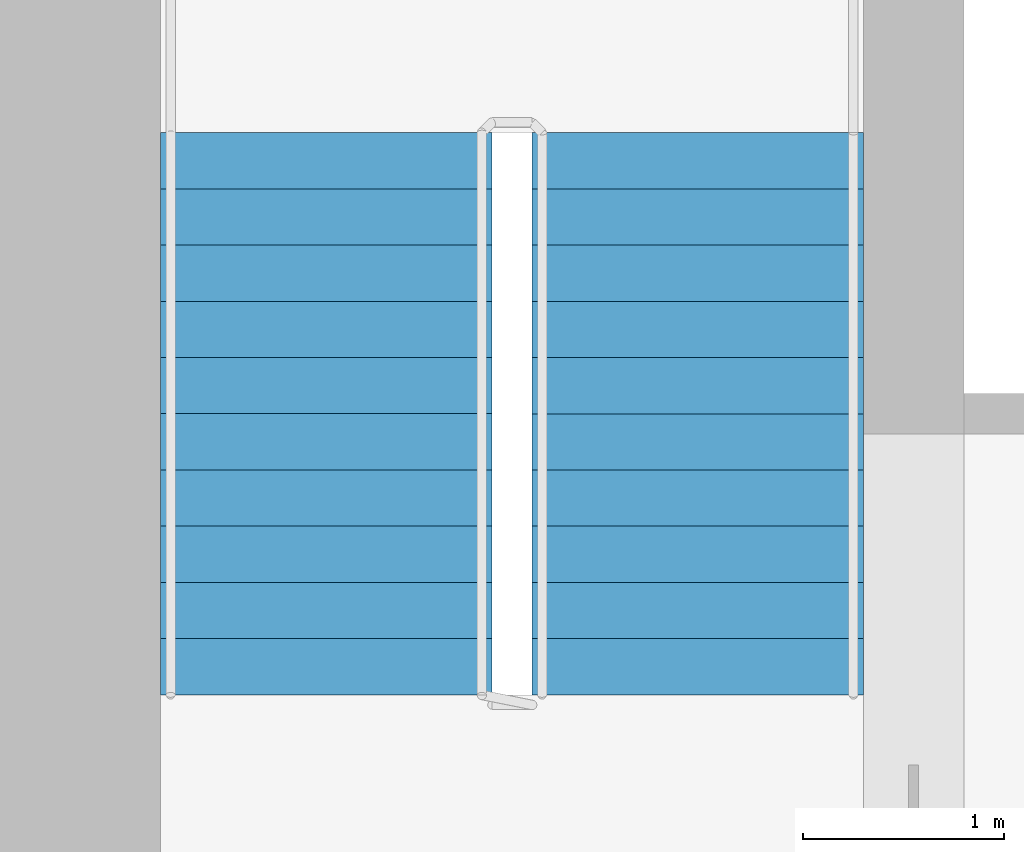
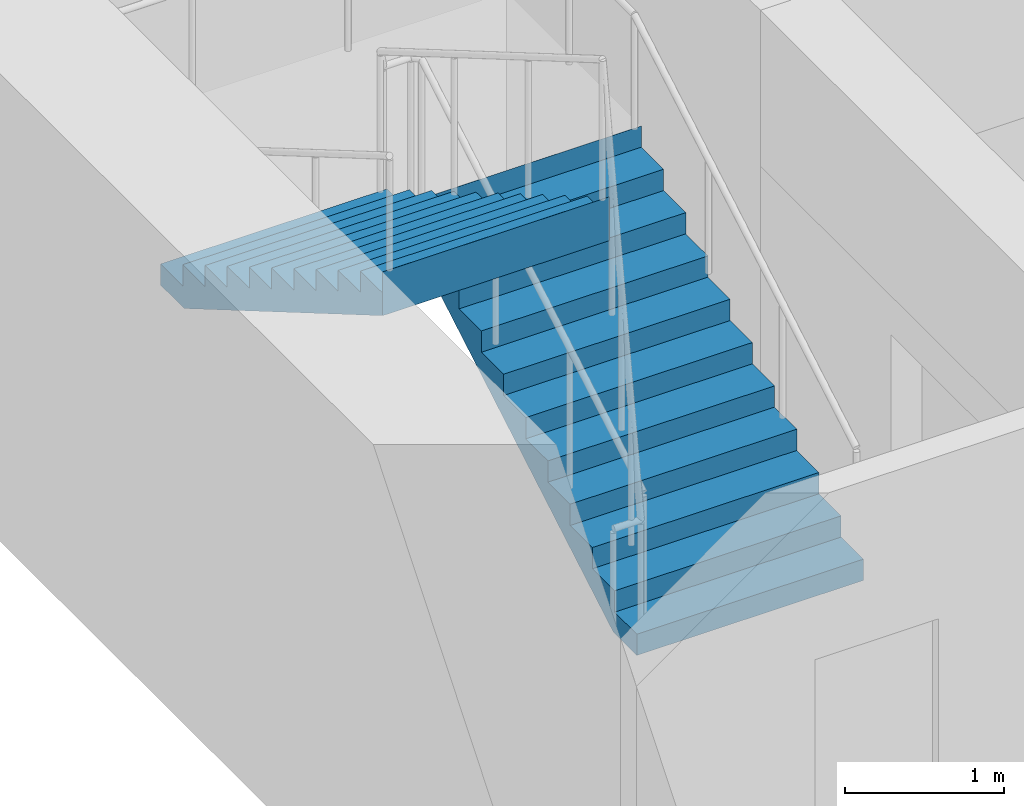
# One storey, part 14 of 15: 2 stair flights, 1 element without a shape of its own.
"""IFC4 building model written with IfcOpenShell, lengths in metres."""

from ifc_helpers import new_model, si_unit, direction, frame, origin, place, context, subcontext, project, spatial, polyline, outline, extrude, material, type_object, element, aggregate, save


model = new_model("IFC4")

# Units and contexts
model_context = context("Model", 3, precision=1e-05, world=origin(), true_north=direction((0.0, 1.0)))
body_context = subcontext(model_context, "Body", "Model", "MODEL_VIEW")
ifc_project = project(units=[si_unit("LENGTHUNIT", "METRE"), si_unit("AREAUNIT", "SQUARE_METRE"), si_unit("VOLUMEUNIT", "CUBIC_METRE"), si_unit("PLANEANGLEUNIT", "RADIAN"), si_unit("MASSUNIT", "GRAM", prefix="KILO")], contexts=[model_context])

# Site, building, storey
site_placement = place(None, origin())
site = spatial("IfcSite", under=ifc_project, at=site_placement, CompositionType="ELEMENT")
building_placement = place(site_placement, origin())
building = spatial("IfcBuilding", under=site, at=building_placement, Name="Tamorin Gate", CompositionType="ELEMENT")
storey_placement = place(building_placement, frame((0.0, 0.0, 48.39990234375)))
storey = spatial("IfcBuildingStorey", under=building, at=storey_placement, Name="L10", CompositionType="ELEMENT", Elevation=48.39990234375)

# Stair, stair flights
ifc_material = material(Name="Concrete C40/50", Category="concrete")
stair_type = type_object("IfcStairType", Name="Exit stair", PredefinedType="HALF_TURN_STAIR", material=ifc_material)
stair_placement = place(storey_placement, origin())
stair = element("IfcStair", 1, at=stair_placement, inside=storey, type_object=stair_type, Name="L10 stair ST2", PredefinedType="HALF_TURN_STAIR")
stair_flight_type = type_object("IfcStairFlightType", Name="Exit stair flight", PredefinedType="STRAIGHT", material=ifc_material)
stair_flight_1_placement = place(storey_placement, frame((33.675048828125, 77.0, 0.0), z_axis=(0.0, 0.0, 1.0), x_axis=(0.0, 1.0, 0.0)))
stair_flight_1 = element("IfcStairFlight", 2, at=stair_flight_1_placement, type_object=stair_flight_type, Name="ST2 flight 1", NumberOfRisers=11, NumberOfTreads=10, PredefinedType="STRAIGHT", RiserHeight=0.163636364, TreadLength=0.28, context=body_context, shape_type="SweptSolid", body=[
    extrude(outline(polyline([(-0.00048828125, 0.0), (-0.00048828125, 0.001708984375), (-0.00048828125, 0.003173828125), (-0.00048828125, 0.0048828125), (-0.00048828125, 0.006591796875), (-0.00048828125, 0.008056640625), (-0.00048828125, 0.009765625), (-0.00048828125, 0.01123046875), (-0.00048828125, 0.012939453125), (-0.00048828125, 0.0146484375), (-0.00048828125, 0.01611328125), (-0.00048828125, 0.017822265625), (-0.00048828125, 0.01953125), (-0.00048828125, 0.02099609375), (-0.00048828125, 0.022705078125), (-0.00048828125, 0.0244140625), (-0.00048828125, 0.02587890625), (-0.00048828125, 0.027587890625), (-0.00048828125, 0.029052734375), (-0.00048828125, 0.03076171875), (-0.00048828125, 0.032470703125), (-0.00048828125, 0.033935546875), (-0.00048828125, 0.03564453125), (-0.00048828125, 0.037353515625), (-0.00048828125, 0.038818359375), (-0.00048828125, 0.04052734375), (-0.00048828125, 0.042236328125), (-0.00048828125, 0.043701171875), (-0.00048828125, 0.04541015625), (-0.00048828125, 0.046875), (-0.00048828125, 0.048583984375), (-0.00048828125, 0.05029296875), (-0.00048828125, 0.0517578125), (-0.00048828125, 0.053466796875), (-0.00048828125, 0.05517578125), (-0.00048828125, 0.056640625), (-0.00048828125, 0.058349609375), (-0.00048828125, 0.06005859375), (-0.00048828125, 0.0615234375), (-0.00048828125, 0.063232421875), (-0.00048828125, 0.064697265625), (-0.00048828125, 0.06640625), (-0.00048828125, 0.068115234375), (-0.00048828125, 0.069580078125), (-0.00048828125, 0.0712890625), (-0.00048828125, 0.072998046875), (-0.00048828125, 0.074462890625), (-0.00048828125, 0.076171875), (-0.00048828125, 0.077880859375), (-0.00048828125, 0.079345703125), (-0.00048828125, 0.0810546875), (-0.00048828125, 0.08251953125), (-0.00048828125, 0.084228515625), (-0.00048828125, 0.0859375), (-0.00048828125, 0.08740234375), (-0.00048828125, 0.089111328125), (-0.00048828125, 0.0908203125), (-0.00048828125, 0.09228515625), (-0.00048828125, 0.093994140625), (-0.00048828125, 0.095703125), (-0.00048828125, 0.09716796875), (-0.00048828125, 0.098876953125), (-0.00048828125, 0.100341796875), (-0.00048828125, 0.10205078125), (-0.00048828125, 0.103759765625), (-0.00048828125, 0.105224609375), (-0.00048828125, 0.10693359375), (-0.00048828125, 0.108642578125), (-0.00048828125, 0.110107421875), (-0.00048828125, 0.11181640625), (-0.00048828125, 0.113525390625), (-0.00048828125, 0.114990234375), (-0.00048828125, 0.11669921875), (-0.00048828125, 0.1181640625), (-0.00048828125, 0.119873046875), (-0.00048828125, 0.12158203125), (-0.00048828125, 0.123046875), (-0.00048828125, 0.124755859375), (-0.00048828125, 0.12646484375), (-0.00048828125, 0.1279296875), (-0.00048828125, 0.129638671875), (-0.00048828125, 0.13134765625), (-0.00048828125, 0.1328125), (-0.00048828125, 0.134521484375), (-0.00048828125, 0.135986328125), (-0.00048828125, 0.1376953125), (-0.00048828125, 0.139404296875), (-0.00048828125, 0.140869140625), (-0.00048828125, 0.142578125), (-0.00048828125, 0.144287109375), (-0.00048828125, 0.145751953125), (-0.00048828125, 0.1474609375), (-0.00048828125, 0.149169921875), (-0.00048828125, 0.150634765625), (-0.00048828125, 0.15234375), (-0.00048828125, 0.15380859375), (-0.00048828125, 0.155517578125), (-0.00048828125, 0.1572265625), (-0.00048828125, 0.15869140625), (-0.00048828125, 0.160400390625), (-0.00048828125, 0.162109375), (-0.00048828125, 0.16357421875), (0.280029296875, 0.16357421875), (0.280029296875, 0.327392578125), (0.56005859375, 0.327392578125), (0.56005859375, 0.490966796875), (0.840087890625, 0.490966796875), (0.840087890625, 0.654541015625), (1.1201171875, 0.654541015625), (1.1201171875, 0.818115234375), (1.39990234375, 0.818115234375), (1.39990234375, 0.98193359375), (1.679931640625, 0.98193359375), (1.679931640625, 1.1455078125), (1.9599609375, 1.1455078125), (1.9599609375, 1.30908203125), (2.239990234375, 1.30908203125), (2.239990234375, 1.47265625), (2.52001953125, 1.47265625), (2.52001953125, 1.636474609375), (2.800048828125, 1.636474609375), (2.800048828125, 1.800048828125), (2.800537109375, 1.800048828125), (2.800537109375, 1.796630859375), (2.800537109375, 1.793212890625), (2.800537109375, 1.7900390625), (2.800537109375, 1.78662109375), (2.800537109375, 1.783203125), (2.800537109375, 1.780029296875), (2.800537109375, 1.776611328125), (2.800537109375, 1.773193359375), (2.800537109375, 1.77001953125), (2.800537109375, 1.7666015625), (2.800537109375, 1.76318359375), (2.800537109375, 1.760009765625), (2.800537109375, 1.756591796875), (2.800537109375, 1.753173828125), (2.800537109375, 1.75), (2.800537109375, 1.74658203125), (2.800537109375, 1.7431640625), (2.800537109375, 1.739990234375), (2.800537109375, 1.736572265625), (2.800537109375, 1.733154296875), (2.800537109375, 1.72998046875), (2.800537109375, 1.7265625), (2.800537109375, 1.72314453125), (2.800537109375, 1.719970703125), (2.800537109375, 1.716552734375), (2.800537109375, 1.713134765625), (2.800537109375, 1.7099609375), (2.800537109375, 1.70654296875), (2.800537109375, 1.703125), (2.800537109375, 1.69970703125), (2.800537109375, 1.696533203125), (2.800537109375, 1.693115234375), (2.800537109375, 1.689697265625), (2.800537109375, 1.6865234375), (2.800537109375, 1.68310546875), (2.800537109375, 1.6796875), (2.800537109375, 1.676513671875), (2.800537109375, 1.673095703125), (2.800537109375, 1.669677734375), (2.800537109375, 1.66650390625), (2.800537109375, 1.6630859375), (2.800537109375, 1.65966796875), (2.800537109375, 1.656494140625), (2.800537109375, 1.653076171875), (2.800537109375, 1.649658203125), (2.800537109375, 1.646484375), (2.800537109375, 1.64306640625), (2.800537109375, 1.6396484375), (2.800537109375, 1.636474609375), (2.800537109375, 1.633056640625), (2.800537109375, 1.629638671875), (2.800537109375, 1.62646484375), (2.800537109375, 1.623046875), (2.800537109375, 1.61962890625), (2.800537109375, 1.616455078125), (2.800537109375, 1.613037109375), (2.800537109375, 1.609619140625), (2.800537109375, 1.6064453125), (2.800537109375, 1.60302734375), (2.800537109375, 1.599609375), (2.800537109375, 1.59619140625), (2.800537109375, 1.593017578125), (2.800537109375, 1.589599609375), (2.800537109375, 1.586181640625), (2.800537109375, 1.5830078125), (2.800537109375, 1.57958984375), (2.800537109375, 1.576171875), (2.800537109375, 1.572998046875), (2.800537109375, 1.569580078125), (2.800537109375, 1.566162109375), (2.800537109375, 1.56298828125), (2.800537109375, 1.5595703125), (2.800537109375, 1.55615234375), (2.800537109375, 1.552978515625), (2.800537109375, 1.549560546875), (2.800537109375, 1.546142578125), (2.800537109375, 1.54296875), (2.800537109375, 1.53955078125), (2.800537109375, 1.5361328125), (2.800537109375, 1.532958984375), (2.800537109375, 1.529541015625), (2.800537109375, 1.526123046875), (2.800537109375, 1.52294921875), (2.800537109375, 1.51953125), (2.800537109375, 1.51611328125), (2.800537109375, 1.512939453125), (2.800537109375, 1.509521484375), (2.800537109375, 1.506103515625), (2.800537109375, 1.5029296875), (2.800537109375, 1.49951171875), (2.800537109375, 1.49609375), (2.800537109375, 1.49267578125), (2.800537109375, 1.489501953125), (2.800537109375, 1.486083984375), (2.800537109375, 1.482666015625), (2.800537109375, 1.4794921875), (2.800537109375, 1.47607421875), (2.800537109375, 1.47265625), (2.800537109375, 1.469482421875), (2.800537109375, 1.466064453125), (2.800537109375, 1.462646484375), (2.800048828125, 1.462646484375), (0.297119140625, 0.0), (-0.00048828125, 0.0)])), frame((0.0, 0.824951171875, 0.0), z_axis=(0.0, -1.0, 0.0), x_axis=(1.0, 0.0, 0.0)), (0.0, 0.0, 1.0), 1.64990234375),
])
stair_flight_2_placement = place(storey_placement, frame((31.824951171875, 79.800048828125, 1.800048828125), z_axis=(0.0, 0.0, 1.0), x_axis=(0.0, -1.0, 0.0)))
stair_flight_2 = element("IfcStairFlight", 3, at=stair_flight_2_placement, type_object=stair_flight_type, Name="ST2 flight 2", NumberOfRisers=11, NumberOfTreads=10, PredefinedType="STRAIGHT", RiserHeight=0.163636364, TreadLength=0.28, context=body_context, shape_type="SweptSolid", body=[
    extrude(outline(polyline([(-0.00048828125, 0.0), (-0.00048828125, 0.001708984375), (-0.00048828125, 0.003173828125), (-0.00048828125, 0.0048828125), (-0.00048828125, 0.006591796875), (-0.00048828125, 0.008056640625), (-0.00048828125, 0.009765625), (-0.00048828125, 0.01123046875), (-0.00048828125, 0.012939453125), (-0.00048828125, 0.0146484375), (-0.00048828125, 0.01611328125), (-0.00048828125, 0.017822265625), (-0.00048828125, 0.01953125), (-0.00048828125, 0.02099609375), (-0.00048828125, 0.022705078125), (-0.00048828125, 0.0244140625), (-0.00048828125, 0.02587890625), (-0.00048828125, 0.027587890625), (-0.00048828125, 0.029052734375), (-0.00048828125, 0.03076171875), (-0.00048828125, 0.032470703125), (-0.00048828125, 0.033935546875), (-0.00048828125, 0.03564453125), (-0.00048828125, 0.037353515625), (-0.00048828125, 0.038818359375), (-0.00048828125, 0.04052734375), (-0.00048828125, 0.042236328125), (-0.00048828125, 0.043701171875), (-0.00048828125, 0.04541015625), (-0.00048828125, 0.046875), (-0.00048828125, 0.048583984375), (-0.00048828125, 0.05029296875), (-0.00048828125, 0.0517578125), (-0.00048828125, 0.053466796875), (-0.00048828125, 0.05517578125), (-0.00048828125, 0.056640625), (-0.00048828125, 0.058349609375), (-0.00048828125, 0.06005859375), (-0.00048828125, 0.0615234375), (-0.00048828125, 0.063232421875), (-0.00048828125, 0.064697265625), (-0.00048828125, 0.06640625), (-0.00048828125, 0.068115234375), (-0.00048828125, 0.069580078125), (-0.00048828125, 0.0712890625), (-0.00048828125, 0.072998046875), (-0.00048828125, 0.074462890625), (-0.00048828125, 0.076171875), (-0.00048828125, 0.077880859375), (-0.00048828125, 0.079345703125), (-0.00048828125, 0.0810546875), (-0.00048828125, 0.08251953125), (-0.00048828125, 0.084228515625), (-0.00048828125, 0.0859375), (-0.00048828125, 0.08740234375), (-0.00048828125, 0.089111328125), (-0.00048828125, 0.0908203125), (-0.00048828125, 0.09228515625), (-0.00048828125, 0.093994140625), (-0.00048828125, 0.095703125), (-0.00048828125, 0.09716796875), (-0.00048828125, 0.098876953125), (-0.00048828125, 0.100341796875), (-0.00048828125, 0.10205078125), (-0.00048828125, 0.103759765625), (-0.00048828125, 0.105224609375), (-0.00048828125, 0.10693359375), (-0.00048828125, 0.108642578125), (-0.00048828125, 0.110107421875), (-0.00048828125, 0.11181640625), (-0.00048828125, 0.113525390625), (-0.00048828125, 0.114990234375), (-0.00048828125, 0.11669921875), (-0.00048828125, 0.1181640625), (-0.00048828125, 0.119873046875), (-0.00048828125, 0.12158203125), (-0.00048828125, 0.123046875), (-0.00048828125, 0.124755859375), (-0.00048828125, 0.12646484375), (-0.00048828125, 0.1279296875), (-0.00048828125, 0.129638671875), (-0.00048828125, 0.13134765625), (-0.00048828125, 0.1328125), (-0.00048828125, 0.134521484375), (-0.00048828125, 0.135986328125), (-0.00048828125, 0.1376953125), (-0.00048828125, 0.139404296875), (-0.00048828125, 0.140869140625), (-0.00048828125, 0.142578125), (-0.00048828125, 0.144287109375), (-0.00048828125, 0.145751953125), (-0.00048828125, 0.1474609375), (-0.00048828125, 0.149169921875), (-0.00048828125, 0.150634765625), (-0.00048828125, 0.15234375), (-0.00048828125, 0.15380859375), (-0.00048828125, 0.155517578125), (-0.00048828125, 0.1572265625), (-0.00048828125, 0.15869140625), (-0.00048828125, 0.160400390625), (-0.00048828125, 0.162109375), (-0.00048828125, 0.16357421875), (0.280029296875, 0.16357421875), (0.280029296875, 0.327392578125), (0.56005859375, 0.327392578125), (0.56005859375, 0.490966796875), (0.840087890625, 0.490966796875), (0.840087890625, 0.654541015625), (1.1201171875, 0.654541015625), (1.1201171875, 0.818115234375), (1.39990234375, 0.818115234375), (1.39990234375, 0.98193359375), (1.679931640625, 0.98193359375), (1.679931640625, 1.1455078125), (1.9599609375, 1.1455078125), (1.9599609375, 1.30908203125), (2.239990234375, 1.30908203125), (2.239990234375, 1.47265625), (2.52001953125, 1.47265625), (2.52001953125, 1.636474609375), (2.800048828125, 1.636474609375), (2.800048828125, 1.800048828125), (2.800537109375, 1.800048828125), (2.800537109375, 1.796630859375), (2.800537109375, 1.793212890625), (2.800537109375, 1.7900390625), (2.800537109375, 1.78662109375), (2.800537109375, 1.783203125), (2.800537109375, 1.780029296875), (2.800537109375, 1.776611328125), (2.800537109375, 1.773193359375), (2.800537109375, 1.77001953125), (2.800537109375, 1.7666015625), (2.800537109375, 1.76318359375), (2.800537109375, 1.760009765625), (2.800537109375, 1.756591796875), (2.800537109375, 1.753173828125), (2.800537109375, 1.75), (2.800537109375, 1.74658203125), (2.800537109375, 1.7431640625), (2.800537109375, 1.739990234375), (2.800537109375, 1.736572265625), (2.800537109375, 1.733154296875), (2.800537109375, 1.72998046875), (2.800537109375, 1.7265625), (2.800537109375, 1.72314453125), (2.800537109375, 1.719970703125), (2.800537109375, 1.716552734375), (2.800537109375, 1.713134765625), (2.800537109375, 1.7099609375), (2.800537109375, 1.70654296875), (2.800537109375, 1.703125), (2.800537109375, 1.69970703125), (2.800537109375, 1.696533203125), (2.800537109375, 1.693115234375), (2.800537109375, 1.689697265625), (2.800537109375, 1.6865234375), (2.800537109375, 1.68310546875), (2.800537109375, 1.6796875), (2.800537109375, 1.676513671875), (2.800537109375, 1.673095703125), (2.800537109375, 1.669677734375), (2.800537109375, 1.66650390625), (2.800537109375, 1.6630859375), (2.800537109375, 1.65966796875), (2.800537109375, 1.656494140625), (2.800537109375, 1.653076171875), (2.800537109375, 1.649658203125), (2.800537109375, 1.646484375), (2.800537109375, 1.64306640625), (2.800537109375, 1.6396484375), (2.800537109375, 1.636474609375), (2.800537109375, 1.633056640625), (2.800537109375, 1.629638671875), (2.800537109375, 1.62646484375), (2.800537109375, 1.623046875), (2.800537109375, 1.61962890625), (2.800537109375, 1.616455078125), (2.800537109375, 1.613037109375), (2.800537109375, 1.609619140625), (2.800537109375, 1.6064453125), (2.800537109375, 1.60302734375), (2.800537109375, 1.599609375), (2.800537109375, 1.59619140625), (2.800537109375, 1.593017578125), (2.800537109375, 1.589599609375), (2.800537109375, 1.586181640625), (2.800537109375, 1.5830078125), (2.800537109375, 1.57958984375), (2.800537109375, 1.576171875), (2.800537109375, 1.572998046875), (2.800537109375, 1.569580078125), (2.800537109375, 1.566162109375), (2.800537109375, 1.56298828125), (2.800537109375, 1.5595703125), (2.800537109375, 1.55615234375), (2.800537109375, 1.552978515625), (2.800537109375, 1.549560546875), (2.800537109375, 1.546142578125), (2.800537109375, 1.54296875), (2.800537109375, 1.53955078125), (2.800537109375, 1.5361328125), (2.800537109375, 1.532958984375), (2.800537109375, 1.529541015625), (2.800537109375, 1.526123046875), (2.800537109375, 1.52294921875), (2.800537109375, 1.51953125), (2.800537109375, 1.51611328125), (2.800537109375, 1.512939453125), (2.800537109375, 1.509521484375), (2.800537109375, 1.506103515625), (2.800537109375, 1.5029296875), (2.800537109375, 1.49951171875), (2.800537109375, 1.49609375), (2.800537109375, 1.49267578125), (2.800537109375, 1.489501953125), (2.800537109375, 1.486083984375), (2.800537109375, 1.482666015625), (2.800537109375, 1.4794921875), (2.800537109375, 1.47607421875), (2.800537109375, 1.47265625), (2.800537109375, 1.469482421875), (2.800537109375, 1.466064453125), (2.800537109375, 1.462646484375), (2.800048828125, 1.462646484375), (0.297119140625, 0.0), (-0.00048828125, 0.0)])), frame((0.0, 0.824951171875, 0.0), z_axis=(0.0, -1.0, 0.0), x_axis=(1.0, 0.0, 0.0)), (0.0, 0.0, 1.0), 1.64990234375),
])
aggregate(stair, [stair_flight_1, stair_flight_2])

save(model, "model.ifc")
